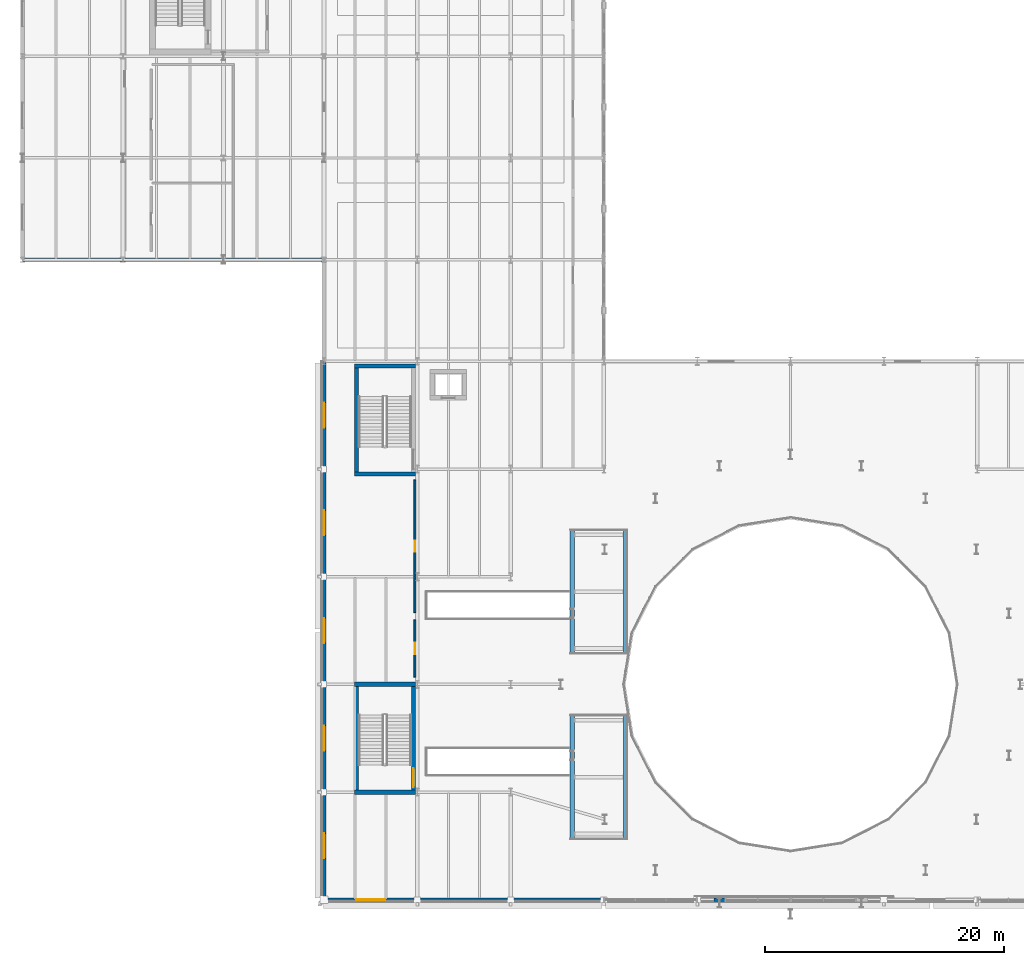
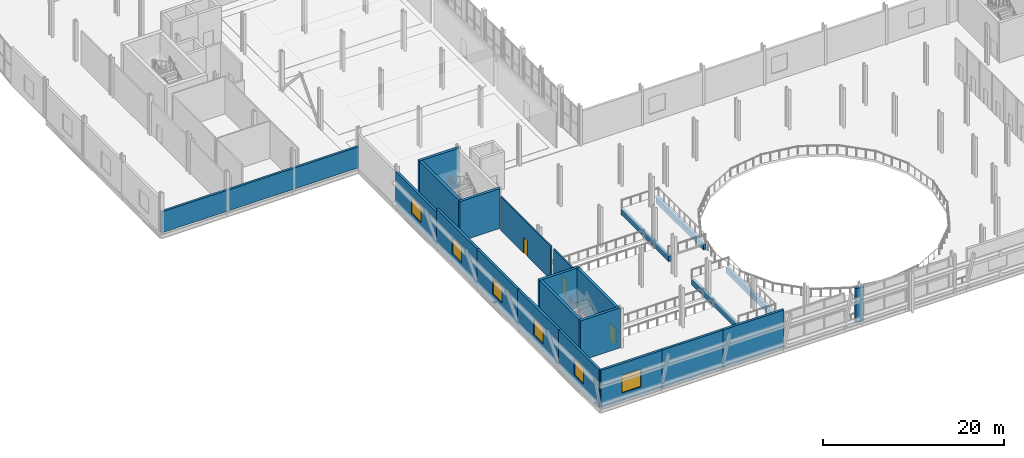
# One storey, part 50 of 78: 23 walls, 6 windows, 3 doors, 9 openings.
"""IFC4 building model written with IfcOpenShell, lengths in metres."""

from ifc_helpers import new_model, si_unit, direction, frame, frame_2d, origin, place, context, subcontext, project, spatial, rectangle, extrude, material, layer, layer_set, type_object, element, fill, save


model = new_model("IFC4")

# Units and contexts
model_context = context("Model", 3, precision=1e-05, world=origin(), true_north=direction((0.0, 1.0)))
body_context = subcontext(model_context, "Body", "Model", "MODEL_VIEW")
ifc_project = project(units=[si_unit("LENGTHUNIT", "METRE"), si_unit("AREAUNIT", "SQUARE_METRE"), si_unit("VOLUMEUNIT", "CUBIC_METRE"), si_unit("PLANEANGLEUNIT", "RADIAN"), si_unit("MASSUNIT", "GRAM", prefix="KILO")], contexts=[model_context])

# Site, building, storey
site_placement = place(None, origin())
site = spatial("IfcSite", under=ifc_project, at=site_placement, CompositionType="ELEMENT")
building_placement = place(site_placement, origin())
building = spatial("IfcBuilding", under=site, at=building_placement, Name="Sefraquen Railside Congress Hotel", CompositionType="ELEMENT")
storey_placement = place(building_placement, frame((0.0, 0.0, 6.0)))
storey = spatial("IfcBuildingStorey", under=building, at=storey_placement, Name="L01", CompositionType="ELEMENT", Elevation=6.0)

# Walls
ifc_material_1 = material(Name="Concrete C50/60", Category="concrete")
ifc_layer_1 = layer(ifc_material_1, 0.35009765625)
ifc_layer_set_1 = layer_set([ifc_layer_1], Name="Concrete C50/60")
wall_type_1 = type_object("IfcWallType", Name="TW-CW-350", PredefinedType="SHEAR", material=ifc_layer_set_1)
for number, where, z_axis, x_axis, name in (
    (1, (27.75, 27.014892578125, 0.0), (0.0, 0.0, 1.0), (1.0, 0.0, 0.0), "Core shear wall ST-C01 N L01"),
    (2, (27.75, 17.985107421875, 0.0), (0.0, 0.0, 1.0), (1.0, 0.0, 0.0), "Core shear wall ST-C01 S L01"),
):
    element("IfcWall", number, at=place(storey_placement, frame(where, z_axis=z_axis, x_axis=x_axis)), inside=storey, type_object=wall_type_1, Name=name, PredefinedType="SHEAR", context=body_context, shape_type="SweptSolid", body=[
        extrude(rectangle(XDim=5.10009765625, YDim=0.35009765625, at=frame_2d((2.550048828125, 0.0))), origin(), (0.0, 0.0, 1.0), 5.39990234375),
    ])
wall_1_placement = place(storey_placement, frame((27.925048828125, 18.159912109375, 0.0), z_axis=(0.0, 0.0, 1.0), x_axis=(0.0, 1.0, 0.0)))
element("IfcWall", 3, at=wall_1_placement, inside=storey, type_object=wall_type_1, Name="Core shear wall ST-C01 W L01", PredefinedType="SHEAR", context=body_context, shape_type="SweptSolid", body=[
    extrude(rectangle(XDim=8.68017578125, YDim=0.35009765625, at=frame_2d((4.340087890625, 0.0))), origin(), (0.0, 0.0, 1.0), 5.39990234375),
])

# Wall, opening, door
wall_2_placement = place(storey_placement, frame((32.675048828125, 18.159912109375, 0.0), z_axis=(0.0, 0.0, 1.0), x_axis=(0.0, 1.0, 0.0)))
wall_2 = element("IfcWall", 4, at=wall_2_placement, inside=storey, type_object=wall_type_1, Name="Core shear wall ST-C01 E L01", PredefinedType="SHEAR", context=body_context, shape_type="SweptSolid", body=[
    extrude(rectangle(XDim=8.68017578125, YDim=0.35009765625, at=frame_2d((4.340087890625, 0.0))), origin(), (0.0, 0.0, 1.0), 5.39990234375),
])
opening_1_placement = place(wall_2_placement, frame((0.25, 0.0, 0.0)))
opening_1 = element("IfcOpeningElement", 5, at=opening_1_placement, cuts=wall_2, Name="Opening FD-02", PredefinedType="OPENING", context=body_context, shape_type="SweptSolid", body=[
    extrude(rectangle(XDim=1.60009765625, YDim=2.199951171875, at=frame_2d((0.800048828125, 1.10009765625))), frame((0.0, 0.18505859375, 0.0), z_axis=(0.0, -1.0, 0.0), x_axis=(1.0, 0.0, 0.0)), (0.0, 0.0, 1.0), 0.3701171875),
])
ifc_material_2 = material(Name="Fire-rated steel", Category="steel")
door_type_1 = type_object("IfcDoorType", Name="TD-FD-02", OperationType="NOTDEFINED", PredefinedType="DOOR", material=ifc_material_2)
door_1_placement = place(opening_1_placement, origin())
door_1 = element("IfcDoor", 6, at=door_1_placement, inside=storey, type_object=door_type_1, Name="Pressurized stair ST-C01 fire door L01", OperationType="SINGLE_SWING_LEFT", OverallHeight=2.199951171875, OverallWidth=1.60009765625, PredefinedType="DOOR", context=body_context, shape_type="SweptSolid", body=[
    extrude(rectangle(XDim=1.60009765625, YDim=2.199951171875, at=frame_2d((0.800048828125, 1.10009765625))), frame((0.0, 0.02490234375, 0.0), z_axis=(0.0, -1.0, 0.0), x_axis=(1.0, 0.0, 0.0)), (0.0, 0.0, 1.0), 0.050048828125),
])
fill(opening_1, door_1)

# Walls
for number, where, z_axis, x_axis, name in (
    (7, (27.75, 53.60498046875, 0.0), (0.0, 0.0, 1.0), (1.0, 0.0, 0.0), "Core shear wall ST-C02 N L01"),
    (8, (27.75, 44.574951171875, 0.0), (0.0, 0.0, 1.0), (1.0, 0.0, 0.0), "Core shear wall ST-C02 S L01"),
):
    element("IfcWall", number, at=place(storey_placement, frame(where, z_axis=z_axis, x_axis=x_axis)), inside=storey, type_object=wall_type_1, Name=name, PredefinedType="SHEAR", context=body_context, shape_type="SweptSolid", body=[
        extrude(rectangle(XDim=5.10009765625, YDim=0.35009765625, at=frame_2d((2.550048828125, 0.0))), origin(), (0.0, 0.0, 1.0), 5.39990234375),
    ])
wall_3_placement = place(storey_placement, frame((27.925048828125, 44.75, 0.0), z_axis=(0.0, 0.0, 1.0), x_axis=(0.0, 1.0, 0.0)))
element("IfcWall", 9, at=wall_3_placement, inside=storey, type_object=wall_type_1, Name="Core shear wall ST-C02 W L01", PredefinedType="SHEAR", context=body_context, shape_type="SweptSolid", body=[
    extrude(rectangle(XDim=8.679931640625, YDim=0.35009765625, at=frame_2d((4.33984375, 0.0))), origin(), (0.0, 0.0, 1.0), 5.39990234375),
])
for number, where, z_axis, x_axis, name in (
    (10, (45.949951171875, 14.0, 0.0), (0.0, 0.0, 1.0), (0.0, 1.0, 0.0), "Congress upper tier 1 W support wall"),
    (11, (50.39990234375, 14.0, 0.0), (0.0, 0.0, 1.0), (0.0, 1.0, 0.0), "Congress upper tier 1 E support wall"),
    (12, (45.949951171875, 29.5, 0.0), (0.0, 0.0, 1.0), (0.0, 1.0, 0.0), "Congress upper tier 2 W support wall"),
    (13, (50.39990234375, 29.5, 0.0), (0.0, 0.0, 1.0), (0.0, 1.0, 0.0), "Congress upper tier 2 E support wall"),
):
    element("IfcWall", number, at=place(storey_placement, frame(where, z_axis=z_axis, x_axis=x_axis)), inside=storey, type_object=wall_type_1, Name=name, PredefinedType="SHEAR", context=body_context, shape_type="SweptSolid", body=[
        extrude(rectangle(XDim=10.5, YDim=0.35009765625, at=frame_2d((5.25, 0.0))), origin(), (0.0, 0.0, 1.0), 0.739990234375),
    ])
ifc_material_3 = material(Name="Ochre Rabat calcarenite limestone and Concrete C40/50 backing", Category="masonry")
ifc_layer_2 = layer(ifc_material_3, 0.280029296875)
ifc_layer_set_2 = layer_set([ifc_layer_2], Name="Ochre Rabat calcarenite limestone and Concrete C40/50 backing")
wall_type_2 = type_object("IfcWallType", Name="TW-EW-280", PredefinedType="STANDARD", material=ifc_layer_set_2)
wall_4_placement = place(storey_placement, frame((57.786865234375, 9.0, 0.0), z_axis=(0.0, 0.0, 1.0), x_axis=(1.0, 0.0, 0.0)))
element("IfcWall", 14, at=wall_4_placement, inside=storey, type_object=wall_type_2, Name="Congress leaning south curtain wall L01-5 column pier closure 1", PredefinedType="STANDARD", context=body_context, shape_type="SweptSolid", body=[
    extrude(rectangle(XDim=0.9599609375, YDim=0.260009765625, at=frame_2d((0.47998046875, 0.0))), origin(), (0.0, 0.0, 1.0), 4.64990234375),
])
wall_5_placement = place(storey_placement, frame((0.0, 62.5, 0.0), z_axis=(0.0, 0.0, 1.0), x_axis=(1.0, 0.0, 0.0)))
element("IfcWall", 15, at=wall_5_placement, inside=storey, type_object=wall_type_2, Name="Hotel L01 south-west return wall", PredefinedType="STANDARD", context=body_context, shape_type="SweptSolid", body=[
    extrude(rectangle(XDim=25.199951171875, YDim=0.280029296875, at=frame_2d((12.60009765625, 0.0))), origin(), (0.0, 0.0, 1.0), 2.840087890625),
])

# Wall, opening, window
ifc_layer_3 = layer(ifc_material_3, 0.300048828125)
ifc_layer_set_3 = layer_set([ifc_layer_3], Name="Ochre Rabat calcarenite limestone and Concrete C40/50 backing")
wall_type_3 = type_object("IfcWallType", Name="TW-EW-300", PredefinedType="STANDARD", material=ifc_layer_set_3)
wall_6_placement = place(storey_placement, frame((25.199951171875, 9.0, 0.0), z_axis=(0.0, 0.0, 1.0), x_axis=(1.0, 0.0, 0.0)))
wall_6 = element("IfcWall", 16, at=wall_6_placement, inside=storey, type_object=wall_type_3, Name="Congress Hall L01 south spandrel wall 1", PredefinedType="STANDARD", context=body_context, shape_type="SweptSolid", body=[
    extrude(rectangle(XDim=7.800048828125, YDim=0.300048828125, at=frame_2d((3.89990234375, 0.0))), origin(), (0.0, 0.0, 1.0), 5.050048828125),
])
opening_2_placement = place(wall_6_placement, frame((2.699951171875, 0.0, 1.050048828125)))
opening_2 = element("IfcOpeningElement", 17, at=opening_2_placement, cuts=wall_6, Name="Opening WN-09", PredefinedType="OPENING", context=body_context, shape_type="SweptSolid", body=[
    extrude(rectangle(XDim=2.39990234375, YDim=2.39990234375, at=frame_2d((1.199951171875, 1.199951171875))), frame((0.0, 0.159912109375, 0.0), z_axis=(0.0, -1.0, 0.0), x_axis=(1.0, 0.0, 0.0)), (0.0, 0.0, 1.0), 0.320068359375),
])
ifc_material_4 = material(Name="Solar-control low-E double glazing in bronze-anodised frame", Category="glass")
window_type_1 = type_object("IfcWindowType", Name="TWN-W-09", PartitioningType="DOUBLE_PANEL_VERTICAL", PredefinedType="WINDOW", material=ifc_material_4)
window_1_placement = place(opening_2_placement, origin())
window_1 = element("IfcWindow", 18, at=window_1_placement, inside=storey, type_object=window_type_1, Name="Congress south arched window L01-1", OverallHeight=2.39990234375, OverallWidth=2.39990234375, PartitioningType="DOUBLE_PANEL_VERTICAL", PredefinedType="WINDOW", context=body_context, shape_type="SweptSolid", body=[
    extrude(rectangle(XDim=2.39990234375, YDim=2.39990234375, at=frame_2d((1.199951171875, 1.199951171875))), frame((0.0, 0.030029296875, 0.0), z_axis=(0.0, -1.0, 0.0), x_axis=(1.0, 0.0, 0.0)), (0.0, 0.0, 1.0), 0.06005859375),
])
fill(opening_2, window_1)

# Walls
for number, where, z_axis, x_axis, name in (
    (19, (33.0, 9.0, 0.0), (0.0, 0.0, 1.0), (1.0, 0.0, 0.0), "Congress Hall L01 south spandrel wall 2"),
    (20, (40.800048828125, 9.0, 0.0), (0.0, 0.0, 1.0), (1.0, 0.0, 0.0), "Congress Hall L01 south spandrel wall 3"),
):
    element("IfcWall", number, at=place(storey_placement, frame(where, z_axis=z_axis, x_axis=x_axis)), inside=storey, type_object=wall_type_3, Name=name, PredefinedType="STANDARD", context=body_context, shape_type="SweptSolid", body=[
        extrude(rectangle(XDim=7.800048828125, YDim=0.300048828125, at=frame_2d((3.89990234375, 0.0))), origin(), (0.0, 0.0, 1.0), 5.050048828125),
    ])

# Wall, opening, window
wall_7_placement = place(storey_placement, frame((25.199951171875, 9.0, 0.0), z_axis=(0.0, 0.0, 1.0), x_axis=(0.0, 1.0, 0.0)))
wall_7 = element("IfcWall", 21, at=wall_7_placement, inside=storey, type_object=wall_type_3, Name="Congress Hall L01 west facade wall 1", PredefinedType="STANDARD", context=body_context, shape_type="SweptSolid", body=[
    extrude(rectangle(XDim=9.0, YDim=0.300048828125, at=frame_2d((4.5, 0.0))), origin(), (0.0, 0.0, 1.0), 5.050048828125),
])
opening_3_placement = place(wall_7_placement, frame((3.449951171875, 0.0, 1.050048828125)))
opening_3 = element("IfcOpeningElement", 22, at=opening_3_placement, cuts=wall_7, Name="Opening WN-07", PredefinedType="OPENING", context=body_context, shape_type="SweptSolid", body=[
    extrude(rectangle(XDim=2.10009765625, YDim=2.199951171875, at=frame_2d((1.050048828125, 1.10009765625))), frame((0.0, 0.159912109375, 0.0), z_axis=(0.0, -1.0, 0.0), x_axis=(1.0, 0.0, 0.0)), (0.0, 0.0, 1.0), 0.320068359375),
])
window_type_2 = type_object("IfcWindowType", Name="TWN-W-07", PartitioningType="DOUBLE_PANEL_VERTICAL", PredefinedType="WINDOW", material=ifc_material_4)
window_2_placement = place(opening_3_placement, origin())
window_2 = element("IfcWindow", 23, at=window_2_placement, inside=storey, type_object=window_type_2, Name="Congress west arched window L01-1", OverallHeight=2.199951171875, OverallWidth=2.10009765625, PartitioningType="DOUBLE_PANEL_VERTICAL", PredefinedType="WINDOW", context=body_context, shape_type="SweptSolid", body=[
    extrude(rectangle(XDim=2.10009765625, YDim=2.199951171875, at=frame_2d((1.050048828125, 1.10009765625))), frame((0.0, 0.030029296875, 0.0), z_axis=(0.0, -1.0, 0.0), x_axis=(1.0, 0.0, 0.0)), (0.0, 0.0, 1.0), 0.06005859375),
])
fill(opening_3, window_2)

wall_8_placement = place(storey_placement, frame((25.199951171875, 18.0, 0.0), z_axis=(0.0, 0.0, 1.0), x_axis=(0.0, 1.0, 0.0)))
wall_8 = element("IfcWall", 24, at=wall_8_placement, inside=storey, type_object=wall_type_3, Name="Congress Hall L01 west facade wall 2", PredefinedType="STANDARD", context=body_context, shape_type="SweptSolid", body=[
    extrude(rectangle(XDim=9.0, YDim=0.300048828125, at=frame_2d((4.5, 0.0))), origin(), (0.0, 0.0, 1.0), 5.050048828125),
])
opening_4_placement = place(wall_8_placement, frame((3.449951171875, 0.0, 1.050048828125)))
opening_4 = element("IfcOpeningElement", 25, at=opening_4_placement, cuts=wall_8, Name="Opening WN-07", PredefinedType="OPENING", context=body_context, shape_type="SweptSolid", body=[
    extrude(rectangle(XDim=2.10009765625, YDim=2.199951171875, at=frame_2d((1.050048828125, 1.10009765625))), frame((0.0, 0.159912109375, 0.0), z_axis=(0.0, -1.0, 0.0), x_axis=(1.0, 0.0, 0.0)), (0.0, 0.0, 1.0), 0.320068359375),
])
window_3_placement = place(opening_4_placement, origin())
window_3 = element("IfcWindow", 26, at=window_3_placement, inside=storey, type_object=window_type_2, Name="Congress west arched window L01-2", OverallHeight=2.199951171875, OverallWidth=2.10009765625, PartitioningType="DOUBLE_PANEL_VERTICAL", PredefinedType="WINDOW", context=body_context, shape_type="SweptSolid", body=[
    extrude(rectangle(XDim=2.10009765625, YDim=2.199951171875, at=frame_2d((1.050048828125, 1.10009765625))), frame((0.0, 0.030029296875, 0.0), z_axis=(0.0, -1.0, 0.0), x_axis=(1.0, 0.0, 0.0)), (0.0, 0.0, 1.0), 0.06005859375),
])
fill(opening_4, window_3)

wall_9_placement = place(storey_placement, frame((25.199951171875, 27.0, 0.0), z_axis=(0.0, 0.0, 1.0), x_axis=(0.0, 1.0, 0.0)))
wall_9 = element("IfcWall", 27, at=wall_9_placement, inside=storey, type_object=wall_type_3, Name="Congress Hall L01 west facade wall 3", PredefinedType="STANDARD", context=body_context, shape_type="SweptSolid", body=[
    extrude(rectangle(XDim=9.0, YDim=0.300048828125, at=frame_2d((4.5, 0.0))), origin(), (0.0, 0.0, 1.0), 5.050048828125),
])
opening_5_placement = place(wall_9_placement, frame((3.449951171875, 0.0, 1.050048828125)))
opening_5 = element("IfcOpeningElement", 28, at=opening_5_placement, cuts=wall_9, Name="Opening WN-07", PredefinedType="OPENING", context=body_context, shape_type="SweptSolid", body=[
    extrude(rectangle(XDim=2.10009765625, YDim=2.199951171875, at=frame_2d((1.050048828125, 1.10009765625))), frame((0.0, 0.159912109375, 0.0), z_axis=(0.0, -1.0, 0.0), x_axis=(1.0, 0.0, 0.0)), (0.0, 0.0, 1.0), 0.320068359375),
])
window_4_placement = place(opening_5_placement, origin())
window_4 = element("IfcWindow", 29, at=window_4_placement, inside=storey, type_object=window_type_2, Name="Congress west arched window L01-3", OverallHeight=2.199951171875, OverallWidth=2.10009765625, PartitioningType="DOUBLE_PANEL_VERTICAL", PredefinedType="WINDOW", context=body_context, shape_type="SweptSolid", body=[
    extrude(rectangle(XDim=2.10009765625, YDim=2.199951171875, at=frame_2d((1.050048828125, 1.10009765625))), frame((0.0, 0.030029296875, 0.0), z_axis=(0.0, -1.0, 0.0), x_axis=(1.0, 0.0, 0.0)), (0.0, 0.0, 1.0), 0.06005859375),
])
fill(opening_5, window_4)

wall_10_placement = place(storey_placement, frame((25.199951171875, 36.0, 0.0), z_axis=(0.0, 0.0, 1.0), x_axis=(0.0, 1.0, 0.0)))
wall_10 = element("IfcWall", 30, at=wall_10_placement, inside=storey, type_object=wall_type_3, Name="Congress Hall L01 west facade wall 4", PredefinedType="STANDARD", context=body_context, shape_type="SweptSolid", body=[
    extrude(rectangle(XDim=9.0, YDim=0.300048828125, at=frame_2d((4.5, 0.0))), origin(), (0.0, 0.0, 1.0), 5.050048828125),
])
opening_6_placement = place(wall_10_placement, frame((3.449951171875, 0.0, 1.050048828125)))
opening_6 = element("IfcOpeningElement", 31, at=opening_6_placement, cuts=wall_10, Name="Opening WN-07", PredefinedType="OPENING", context=body_context, shape_type="SweptSolid", body=[
    extrude(rectangle(XDim=2.10009765625, YDim=2.199951171875, at=frame_2d((1.050048828125, 1.10009765625))), frame((0.0, 0.159912109375, 0.0), z_axis=(0.0, -1.0, 0.0), x_axis=(1.0, 0.0, 0.0)), (0.0, 0.0, 1.0), 0.320068359375),
])
window_5_placement = place(opening_6_placement, origin())
window_5 = element("IfcWindow", 32, at=window_5_placement, inside=storey, type_object=window_type_2, Name="Congress west arched window L01-4", OverallHeight=2.199951171875, OverallWidth=2.10009765625, PartitioningType="DOUBLE_PANEL_VERTICAL", PredefinedType="WINDOW", context=body_context, shape_type="SweptSolid", body=[
    extrude(rectangle(XDim=2.10009765625, YDim=2.199951171875, at=frame_2d((1.050048828125, 1.10009765625))), frame((0.0, 0.030029296875, 0.0), z_axis=(0.0, -1.0, 0.0), x_axis=(1.0, 0.0, 0.0)), (0.0, 0.0, 1.0), 0.06005859375),
])
fill(opening_6, window_5)

wall_11_placement = place(storey_placement, frame((25.199951171875, 45.0, 0.0), z_axis=(0.0, 0.0, 1.0), x_axis=(0.0, 1.0, 0.0)))
wall_11 = element("IfcWall", 33, at=wall_11_placement, inside=storey, type_object=wall_type_3, Name="Congress Hall L01 west facade wall 5", PredefinedType="STANDARD", context=body_context, shape_type="SweptSolid", body=[
    extrude(rectangle(XDim=9.0, YDim=0.300048828125, at=frame_2d((4.5, 0.0))), origin(), (0.0, 0.0, 1.0), 4.590087890625),
])
opening_7_placement = place(wall_11_placement, frame((3.449951171875, 0.0, 1.050048828125)))
opening_7 = element("IfcOpeningElement", 34, at=opening_7_placement, cuts=wall_11, Name="Opening WN-07", PredefinedType="OPENING", context=body_context, shape_type="SweptSolid", body=[
    extrude(rectangle(XDim=2.10009765625, YDim=2.199951171875, at=frame_2d((1.050048828125, 1.10009765625))), frame((0.0, 0.159912109375, 0.0), z_axis=(0.0, -1.0, 0.0), x_axis=(1.0, 0.0, 0.0)), (0.0, 0.0, 1.0), 0.320068359375),
])
window_6_placement = place(opening_7_placement, origin())
window_6 = element("IfcWindow", 35, at=window_6_placement, inside=storey, type_object=window_type_2, Name="Congress west arched window L01-5", OverallHeight=2.199951171875, OverallWidth=2.10009765625, PartitioningType="DOUBLE_PANEL_VERTICAL", PredefinedType="WINDOW", context=body_context, shape_type="SweptSolid", body=[
    extrude(rectangle(XDim=2.10009765625, YDim=2.199951171875, at=frame_2d((1.050048828125, 1.10009765625))), frame((0.0, 0.030029296875, 0.0), z_axis=(0.0, -1.0, 0.0), x_axis=(1.0, 0.0, 0.0)), (0.0, 0.0, 1.0), 0.06005859375),
])
fill(opening_7, window_6)

# Wall, opening, door
ifc_material_5 = material(Name="Moisture-resistant gypsum board", Category="gypsum")
ifc_layer_4 = layer(ifc_material_5, 0.159912109375)
ifc_layer_set_4 = layer_set([ifc_layer_4], Name="Moisture-resistant gypsum board")
wall_type_4 = type_object("IfcWallType", Name="TW-PW-160", PredefinedType="PARTITIONING", material=ifc_layer_set_4)
wall_12_placement = place(storey_placement, frame((32.800048828125, 27.60009765625, 0.0), z_axis=(0.0, 0.0, 1.0), x_axis=(0.0, 1.0, 0.0)))
wall_12 = element("IfcWall", 36, at=wall_12_placement, inside=storey, type_object=wall_type_4, Name="Congress Upper Tier Public Accessible WC enclosure wall", PredefinedType="PARTITIONING", context=body_context, shape_type="SweptSolid", body=[
    extrude(rectangle(XDim=4.7998046875, YDim=0.159912109375, at=frame_2d((2.39990234375, 0.0))), origin(), (0.0, 0.0, 1.0), 4.550048828125),
])
opening_8_placement = place(wall_12_placement, frame((1.929931640625, 0.0, 0.0)))
opening_8 = element("IfcOpeningElement", 37, at=opening_8_placement, cuts=wall_12, Name="Opening ID-01", PredefinedType="OPENING", context=body_context, shape_type="SweptSolid", body=[
    extrude(rectangle(XDim=0.93994140625, YDim=2.14990234375, at=frame_2d((0.469970703125, 1.074951171875))), frame((0.0, 0.08984375, 0.0), z_axis=(0.0, -1.0, 0.0), x_axis=(1.0, 0.0, 0.0)), (0.0, 0.0, 1.0), 0.179931640625),
])
ifc_material_6 = material(Name="Lacquered cedar joinery", Category="wood")
door_type_2 = type_object("IfcDoorType", Name="TD-ID-01", OperationType="NOTDEFINED", PredefinedType="DOOR", material=ifc_material_6)
door_2_placement = place(opening_8_placement, origin())
door_2 = element("IfcDoor", 38, at=door_2_placement, inside=storey, type_object=door_type_2, Name="Congress Upper Tier Public Accessible WC entrance door", OperationType="SINGLE_SWING_LEFT", OverallHeight=2.14990234375, OverallWidth=0.93994140625, PredefinedType="DOOR", context=body_context, shape_type="SweptSolid", body=[
    extrude(rectangle(XDim=0.93994140625, YDim=2.14990234375, at=frame_2d((0.469970703125, 1.074951171875))), frame((0.0, 0.02490234375, 0.0), z_axis=(0.0, -1.0, 0.0), x_axis=(1.0, 0.0, 0.0)), (0.0, 0.0, 1.0), 0.050048828125),
])
fill(opening_8, door_2)

wall_13_placement = place(storey_placement, frame((32.800048828125, 33.0, 0.0), z_axis=(0.0, 0.0, 1.0), x_axis=(0.0, 1.0, 0.0)))
wall_13 = element("IfcWall", 39, at=wall_13_placement, inside=storey, type_object=wall_type_4, Name="Congress Upper Tier Public WC enclosure wall", PredefinedType="PARTITIONING", context=body_context, shape_type="SweptSolid", body=[
    extrude(rectangle(XDim=11.10009765625, YDim=0.159912109375, at=frame_2d((5.550048828125, 0.0))), origin(), (0.0, 0.0, 1.0), 4.550048828125),
])
opening_9_placement = place(wall_13_placement, frame((5.10009765625, 0.0, 0.0)))
opening_9 = element("IfcOpeningElement", 40, at=opening_9_placement, cuts=wall_13, Name="Opening ID-02", PredefinedType="OPENING", context=body_context, shape_type="SweptSolid", body=[
    extrude(rectangle(XDim=0.89990234375, YDim=2.10009765625, at=frame_2d((0.449951171875, 1.050048828125))), frame((0.0, 0.08984375, 0.0), z_axis=(0.0, -1.0, 0.0), x_axis=(1.0, 0.0, 0.0)), (0.0, 0.0, 1.0), 0.179931640625),
])
door_type_3 = type_object("IfcDoorType", Name="TD-ID-02", OperationType="NOTDEFINED", PredefinedType="DOOR", material=ifc_material_6)
door_3_placement = place(opening_9_placement, origin())
door_3 = element("IfcDoor", 41, at=door_3_placement, inside=storey, type_object=door_type_3, Name="Congress Upper Tier Public WC entrance door", OperationType="SINGLE_SWING_RIGHT", OverallHeight=2.10009765625, OverallWidth=0.89990234375, PredefinedType="DOOR", context=body_context, shape_type="SweptSolid", body=[
    extrude(rectangle(XDim=0.89990234375, YDim=2.10009765625, at=frame_2d((0.449951171875, 1.050048828125))), frame((0.0, 0.02490234375, 0.0), z_axis=(0.0, -1.0, 0.0), x_axis=(1.0, 0.0, 0.0)), (0.0, 0.0, 1.0), 0.050048828125),
])
fill(opening_9, door_3)

save(model, "model.ifc")
